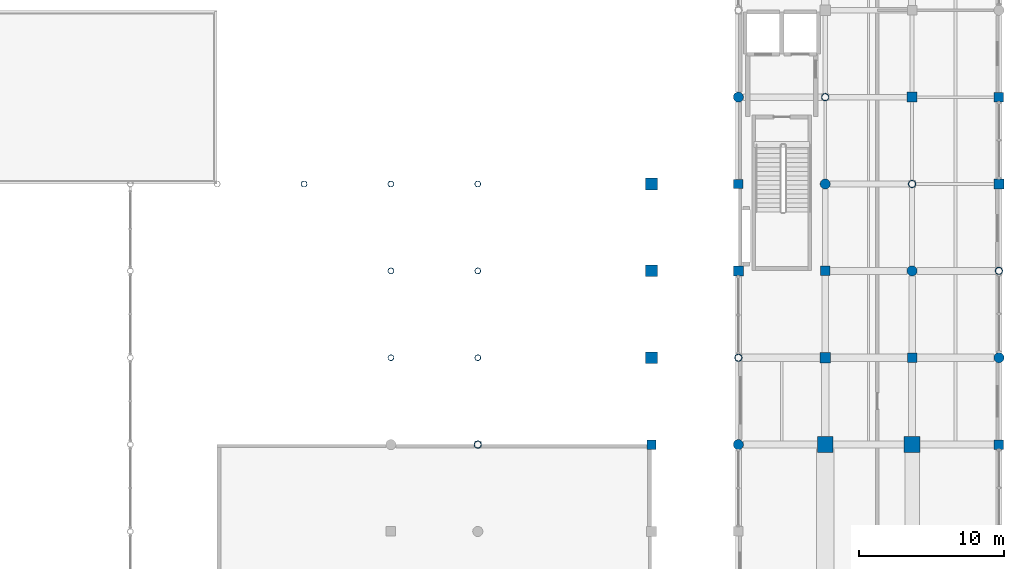
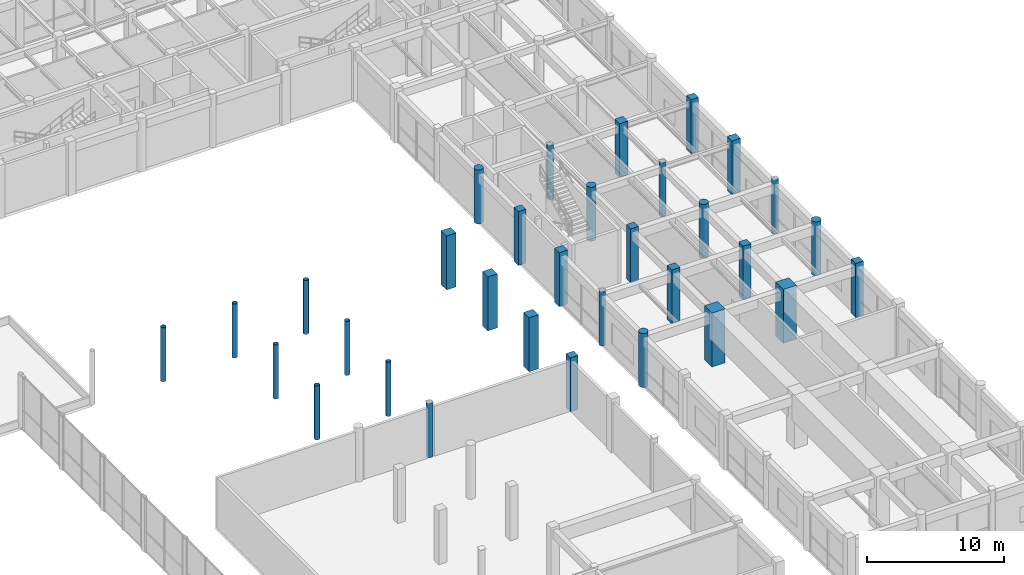
# One storey, part 13 of 123: 32 columns.
"""IFC4 building model written with IfcOpenShell, lengths in metres."""

from ifc_helpers import new_model, si_unit, direction, frame, origin, origin_2d, place, context, subcontext, project, spatial, rectangle, circle, hollow_circle, extrude, material, material_profile, profile_set, type_object, element, save


model = new_model("IFC4")

# Units and contexts
model_context = context("Model", 3, precision=1e-05, world=origin(), true_north=direction((0.0, 1.0)))
body_context = subcontext(model_context, "Body", "Model", "MODEL_VIEW")
ifc_project = project(units=[si_unit("LENGTHUNIT", "METRE"), si_unit("AREAUNIT", "SQUARE_METRE"), si_unit("VOLUMEUNIT", "CUBIC_METRE"), si_unit("PLANEANGLEUNIT", "RADIAN"), si_unit("MASSUNIT", "GRAM", prefix="KILO"), si_unit("THERMODYNAMICTEMPERATUREUNIT", "KELVIN"), si_unit("POWERUNIT", "WATT")], contexts=[model_context])

# Site, building, storey
site_placement = place(None, origin())
site = spatial("IfcSite", under=ifc_project, at=site_placement, CompositionType="ELEMENT")
building_placement = place(site_placement, origin())
building = spatial("IfcBuilding", under=site, at=building_placement, Name="Phaisarnlok Congress Hotel", CompositionType="ELEMENT")
storey_placement = place(building_placement, frame((0.0, 0.0, 15.0)))
storey = spatial("IfcBuildingStorey", under=building, at=storey_placement, Name="L03", CompositionType="ELEMENT", Elevation=15.0)

# Columns
ifc_material_1 = material(Name="Concrete C50/60", Category="concrete")
ifc_material_profile_1 = material_profile(ifc_material_1, rectangle(XDim=1.10009765625, YDim=1.10009765625, at=origin_2d()), Name="RC 1100x1100")
ifc_profile_set_1 = profile_set([ifc_material_profile_1], Name="Concrete C50/60")
column_type_1 = type_object("IfcColumnType", Name="COL-RC-1100", PredefinedType="COLUMN", material=ifc_profile_set_1)
for number, where, z_axis, x_axis, name in (
    (1, (168.0, 66.0, 0.0), (0.0, 0.0, 1.0), (1.0, 0.0, 0.0), "Column C-10 (L03)"),
    (2, (174.0, 66.0, 0.0), (0.0, 0.0, 1.0), (1.0, 0.0, 0.0), "Column C-10 (L03)"),
):
    element("IfcColumn", number, at=place(storey_placement, frame(where, z_axis=z_axis, x_axis=x_axis)), inside=storey, type_object=column_type_1, Name=name, PredefinedType="COLUMN", context=body_context, shape_type="SweptSolid", body=[
        extrude(rectangle(XDim=1.10009765625, YDim=1.10009765625, at=origin_2d()), origin(), (0.0, 0.0, 1.0), 4.800048828125),
    ])
ifc_material_profile_2 = material_profile(ifc_material_1, rectangle(XDim=0.64990234375, YDim=0.64990234375, at=origin_2d()), Name="RC 650x650")
ifc_profile_set_2 = profile_set([ifc_material_profile_2], Name="Concrete C50/60")
column_type_2 = type_object("IfcColumnType", Name="COL-RC-650", PredefinedType="COLUMN", material=ifc_profile_set_2)
for number, where, z_axis, x_axis, name in (
    (3, (156.0, 66.0, 0.0), (0.0, 0.0, 1.0), (1.0, 0.0, 0.0), "Column C-04 (L03)"),
    (4, (162.0, 84.0, 0.0), (0.0, 0.0, 1.0), (1.0, 0.0, 0.0), "Column C-04 (L03)"),
    (5, (168.0, 78.0, 0.0), (0.0, 0.0, 1.0), (1.0, 0.0, 0.0), "Column C-04 (L03)"),
    (6, (174.0, 72.0, 0.0), (0.0, 0.0, 1.0), (1.0, 0.0, 0.0), "Column C-04 (L03)"),
):
    element("IfcColumn", number, at=place(storey_placement, frame(where, z_axis=z_axis, x_axis=x_axis)), inside=storey, type_object=column_type_2, Name=name, PredefinedType="COLUMN", context=body_context, shape_type="SweptSolid", body=[
        extrude(rectangle(XDim=0.64990234375, YDim=0.64990234375, at=origin_2d()), origin(), (0.0, 0.0, 1.0), 4.800048828125),
    ])
ifc_material_profile_3 = material_profile(ifc_material_1, rectangle(XDim=0.64990234375, YDim=0.64990234375, at=origin_2d()), Name="RC 650x650")
ifc_profile_set_3 = profile_set([ifc_material_profile_3], Name="Concrete C50/60")
column_type_3 = type_object("IfcColumnType", Name="COL-RC-650-EXT", PredefinedType="COLUMN", material=ifc_profile_set_3)
for number, where, z_axis, x_axis, name in (
    (7, (180.0, 66.0, 0.0), (0.0, 0.0, 1.0), (1.0, 0.0, 0.0), "Column C-04E (L03)"),
    (8, (180.0, 90.0, 0.0), (0.0, 0.0, 1.0), (1.0, 0.0, 0.0), "Column C-04E (L03)"),
):
    element("IfcColumn", number, at=place(storey_placement, frame(where, z_axis=z_axis, x_axis=x_axis)), inside=storey, type_object=column_type_3, Name=name, PredefinedType="COLUMN", context=body_context, shape_type="SweptSolid", body=[
        extrude(rectangle(XDim=0.64990234375, YDim=0.64990234375, at=origin_2d()), origin(), (0.0, 0.0, 1.0), 4.800048828125),
    ])
ifc_material_profile_4 = material_profile(ifc_material_1, rectangle(XDim=0.699951171875, YDim=0.699951171875, at=origin_2d()), Name="RC 700x700")
ifc_profile_set_4 = profile_set([ifc_material_profile_4], Name="Concrete C50/60")
column_type_4 = type_object("IfcColumnType", Name="COL-RC-700", PredefinedType="COLUMN", material=ifc_profile_set_4)
for number, where, z_axis, x_axis, name in (
    (9, (162.0, 78.0, 0.0), (0.0, 0.0, 1.0), (1.0, 0.0, 0.0), "Column C-05 (L03)"),
    (10, (168.0, 72.0, 0.0), (0.0, 0.0, 1.0), (1.0, 0.0, 0.0), "Column C-05 (L03)"),
    (11, (174.0, 90.0, 0.0), (0.0, 0.0, 1.0), (1.0, 0.0, 0.0), "Column C-05 (L03)"),
):
    element("IfcColumn", number, at=place(storey_placement, frame(where, z_axis=z_axis, x_axis=x_axis)), inside=storey, type_object=column_type_4, Name=name, PredefinedType="COLUMN", context=body_context, shape_type="SweptSolid", body=[
        extrude(rectangle(XDim=0.699951171875, YDim=0.699951171875, at=origin_2d()), origin(), (0.0, 0.0, 1.0), 4.800048828125),
    ])
ifc_material_profile_5 = material_profile(ifc_material_1, rectangle(XDim=0.699951171875, YDim=0.699951171875, at=origin_2d()), Name="RC 700x700")
ifc_profile_set_5 = profile_set([ifc_material_profile_5], Name="Concrete C50/60")
column_type_5 = type_object("IfcColumnType", Name="COL-RC-700-EXT", PredefinedType="COLUMN", material=ifc_profile_set_5)
column_1_placement = place(storey_placement, frame((180.0, 84.0, 0.0), z_axis=(0.0, 0.0, 1.0), x_axis=(1.0, 0.0, 0.0)))
element("IfcColumn", 12, at=column_1_placement, inside=storey, type_object=column_type_5, Name="Column C-05E (L03)", PredefinedType="COLUMN", context=body_context, shape_type="SweptSolid", body=[
    extrude(rectangle(XDim=0.699951171875, YDim=0.699951171875, at=origin_2d()), origin(), (0.0, 0.0, 1.0), 4.800048828125),
])
ifc_material_profile_6 = material_profile(ifc_material_1, rectangle(XDim=0.800048828125, YDim=0.800048828125, at=origin_2d()), Name="RC 800x800")
ifc_profile_set_6 = profile_set([ifc_material_profile_6], Name="Concrete C50/60")
column_type_6 = type_object("IfcColumnType", Name="COL-RC-800-EXT", PredefinedType="COLUMN", material=ifc_profile_set_6)
for number, where, z_axis, x_axis, name in (
    (13, (156.0, 72.0, 0.0), (0.0, 0.0, 1.0), (1.0, 0.0, 0.0), "Cloister wing-roof rear anchor column C-07E"),
    (14, (156.0, 78.0, 0.0), (0.0, 0.0, 1.0), (1.0, 0.0, 0.0), "Cloister wing-roof rear anchor column C-07E"),
    (15, (156.0, 84.0, 0.0), (0.0, 0.0, 1.0), (1.0, 0.0, 0.0), "Cloister wing-roof rear anchor column C-07E"),
):
    element("IfcColumn", number, at=place(storey_placement, frame(where, z_axis=z_axis, x_axis=x_axis)), inside=storey, type_object=column_type_6, Name=name, PredefinedType="COLUMN", context=body_context, shape_type="SweptSolid", body=[
        extrude(rectangle(XDim=0.800048828125, YDim=0.800048828125, at=origin_2d()), origin(), (0.0, 0.0, 1.0), 4.800048828125),
    ])
ifc_material_profile_7 = material_profile(ifc_material_1, circle(Radius=0.35009765625, at=origin_2d()), Name="RCC D700")
ifc_profile_set_7 = profile_set([ifc_material_profile_7], Name="Concrete C50/60")
column_type_7 = type_object("IfcColumnType", Name="COL-RCC-700", PredefinedType="COLUMN", material=ifc_profile_set_7)
for number, where, z_axis, x_axis, name in (
    (16, (162.0, 66.0, 0.0), (0.0, 0.0, 1.0), (1.0, 0.0, 0.0), "Column C-13 (L03)"),
    (17, (162.0, 90.0, 0.0), (0.0, 0.0, 1.0), (1.0, 0.0, 0.0), "Column C-13 (L03)"),
    (18, (168.0, 84.0, 0.0), (0.0, 0.0, 1.0), (1.0, 0.0, 0.0), "Column C-13 (L03)"),
    (19, (174.0, 78.0, 0.0), (0.0, 0.0, 1.0), (1.0, 0.0, 0.0), "Column C-13 (L03)"),
):
    element("IfcColumn", number, at=place(storey_placement, frame(where, z_axis=z_axis, x_axis=x_axis)), inside=storey, type_object=column_type_7, Name=name, PredefinedType="COLUMN", context=body_context, shape_type="SweptSolid", body=[
        extrude(circle(Radius=0.35009765625, at=origin_2d()), origin(), (0.0, 0.0, 1.0), 4.800048828125),
    ])
ifc_material_profile_8 = material_profile(ifc_material_1, circle(Radius=0.35009765625, at=origin_2d()), Name="RCC D700")
ifc_profile_set_8 = profile_set([ifc_material_profile_8], Name="Concrete C50/60")
column_type_8 = type_object("IfcColumnType", Name="COL-RCC-700-EXT", PredefinedType="COLUMN", material=ifc_profile_set_8)
column_2_placement = place(storey_placement, frame((180.0, 72.0, 0.0), z_axis=(0.0, 0.0, 1.0), x_axis=(1.0, 0.0, 0.0)))
element("IfcColumn", 20, at=column_2_placement, inside=storey, type_object=column_type_8, Name="Column C-13E (L03)", PredefinedType="COLUMN", context=body_context, shape_type="SweptSolid", body=[
    extrude(circle(Radius=0.35009765625, at=origin_2d()), origin(), (0.0, 0.0, 1.0), 4.800048828125),
])
ifc_material_2 = material(Name="Steel S355", Category="steel")
ifc_material_profile_9 = material_profile(ifc_material_2, hollow_circle(Radius=0.203125, WallThickness=0.02001953125, at=origin_2d()), Name="CHS 406.4x20")
ifc_profile_set_9 = profile_set([ifc_material_profile_9], Name="Steel S355")
column_type_9 = type_object("IfcColumnType", Name="COL-STL-CHS406", PredefinedType="COLUMN", material=ifc_profile_set_9)
for number, where, z_axis, x_axis, name in (
    (21, (144.0, 72.0, 0.0), (0.0, 0.0, 1.0), (1.0, 0.0, 0.0), "Cloister wing-truss bearing column SC-02 (L03)"),
    (22, (138.0, 72.0, 0.0), (0.0, 0.0, 1.0), (1.0, 0.0, 0.0), "Cloister wing-truss bearing column SC-02 (L03)"),
    (23, (144.0, 78.0, 0.0), (0.0, 0.0, 1.0), (1.0, 0.0, 0.0), "Cloister wing-truss bearing column SC-02 (L03)"),
    (24, (138.0, 78.0, 0.0), (0.0, 0.0, 1.0), (1.0, 0.0, 0.0), "Cloister wing-truss bearing column SC-02 (L03)"),
    (25, (144.0, 84.0, 0.0), (0.0, 0.0, 1.0), (1.0, 0.0, 0.0), "Cloister wing-truss bearing column SC-02 (L03)"),
    (26, (138.0, 84.0, 0.0), (0.0, 0.0, 1.0), (1.0, 0.0, 0.0), "Cloister wing-truss bearing column SC-02 (L03)"),
    (27, (132.0, 84.0, 0.0), (0.0, 0.0, 1.0), (1.0, 0.0, 0.0), "Cloister wing-truss bearing column SC-02 (L03)"),
):
    element("IfcColumn", number, at=place(storey_placement, frame(where, z_axis=z_axis, x_axis=x_axis)), inside=storey, type_object=column_type_9, Name=name, PredefinedType="COLUMN", context=body_context, shape_type="SweptSolid", body=[
        extrude(hollow_circle(Radius=0.203125, WallThickness=0.02001953125, at=origin_2d()), origin(), (0.0, 0.0, 1.0), 4.800048828125),
    ])
ifc_material_profile_10 = material_profile(ifc_material_2, hollow_circle(Radius=0.25390625, WallThickness=0.02490234375, at=origin_2d()), Name="CHS 508x25")
ifc_profile_set_10 = profile_set([ifc_material_profile_10], Name="Steel S355")
column_type_10 = type_object("IfcColumnType", Name="COL-STL-CHS508", PredefinedType="COLUMN", material=ifc_profile_set_10)
for number, where, z_axis, x_axis, name in (
    (28, (144.0, 66.0, 0.0), (0.0, 0.0, 1.0), (1.0, 0.0, 0.0), "Column SC-03 (L03)"),
    (29, (162.0, 72.0, 0.0), (0.0, 0.0, 1.0), (1.0, 0.0, 0.0), "Column SC-03 (L03)"),
    (30, (168.0, 90.0, 0.0), (0.0, 0.0, 1.0), (1.0, 0.0, 0.0), "Column SC-03 (L03)"),
    (31, (174.0, 84.0, 0.0), (0.0, 0.0, 1.0), (1.0, 0.0, 0.0), "Column SC-03 (L03)"),
):
    element("IfcColumn", number, at=place(storey_placement, frame(where, z_axis=z_axis, x_axis=x_axis)), inside=storey, type_object=column_type_10, Name=name, PredefinedType="COLUMN", context=body_context, shape_type="SweptSolid", body=[
        extrude(hollow_circle(Radius=0.25390625, WallThickness=0.02490234375, at=origin_2d()), origin(), (0.0, 0.0, 1.0), 4.800048828125),
    ])
ifc_material_profile_11 = material_profile(ifc_material_2, hollow_circle(Radius=0.25390625, WallThickness=0.02490234375, at=origin_2d()), Name="CHS 508x25")
ifc_profile_set_11 = profile_set([ifc_material_profile_11], Name="Steel S355")
column_type_11 = type_object("IfcColumnType", Name="COL-STL-CHS508-EXT", PredefinedType="COLUMN", material=ifc_profile_set_11)
column_3_placement = place(storey_placement, frame((180.0, 78.0, 0.0), z_axis=(0.0, 0.0, 1.0), x_axis=(1.0, 0.0, 0.0)))
element("IfcColumn", 32, at=column_3_placement, inside=storey, type_object=column_type_11, Name="Column SC-03E (L03)", PredefinedType="COLUMN", context=body_context, shape_type="SweptSolid", body=[
    extrude(hollow_circle(Radius=0.25390625, WallThickness=0.02490234375, at=origin_2d()), origin(), (0.0, 0.0, 1.0), 4.800048828125),
])

save(model, "model.ifc")
